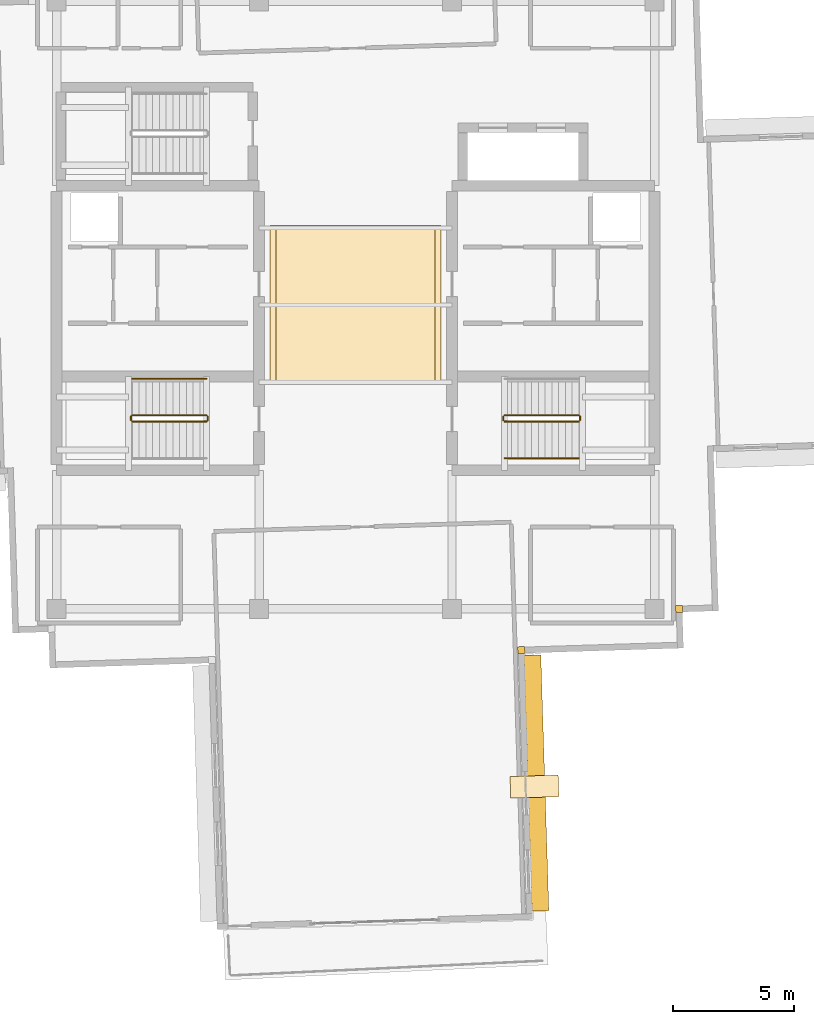
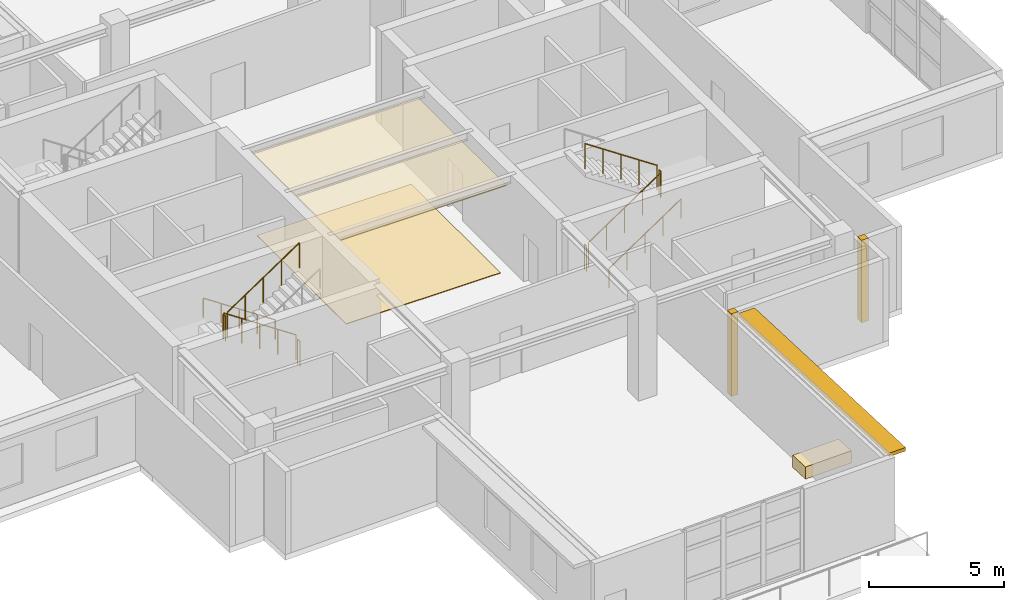
# One storey, part 15 of 18: 10 railings, 5 coverings, 1 shading device.
"""IFC4 building model written with IfcOpenShell, lengths in metres."""

from ifc_helpers import new_model, si_unit, direction, frame, origin, origin_with_axes, origin_2d, place, context, subcontext, project, spatial, rectangle, circle, extrude, material, layer, layer_set, type_object, element, save


model = new_model("IFC4")

# Units and contexts
model_context = context("Model", 3, precision=1e-05, world=origin(), true_north=direction((0.0, 1.0)))
body_context = subcontext(model_context, "Body", "Model", "MODEL_VIEW")
ifc_project = project(units=[si_unit("LENGTHUNIT", "METRE"), si_unit("AREAUNIT", "SQUARE_METRE"), si_unit("VOLUMEUNIT", "CUBIC_METRE"), si_unit("PLANEANGLEUNIT", "RADIAN"), si_unit("MASSUNIT", "GRAM", prefix="KILO")], contexts=[model_context])

# Site, building, storey
site_placement = place(None, origin())
site = spatial("IfcSite", under=ifc_project, at=site_placement, CompositionType="ELEMENT")
building_placement = place(site_placement, origin())
building = spatial("IfcBuilding", under=site, at=building_placement, Name="Qingluan Cross Belvedere", CompositionType="ELEMENT")
storey_placement = place(building_placement, frame((0.0, 0.0, 299.39990234375)))
storey = spatial("IfcBuildingStorey", under=building, at=storey_placement, Name="L74", CompositionType="ELEMENT", Elevation=299.39990234375)

# Coverings
ifc_material_1 = material(Name="Perforated gypsum acoustic ceiling board")
ifc_layer_1 = layer(ifc_material_1, 0.0400390625, Name="AcousticLobbyCeiling_40")
ifc_layer_set_1 = layer_set([ifc_layer_1], Name="Perforated gypsum acoustic ceiling board")
covering_type_1 = type_object("IfcCoveringType", Name="AcousticLobbyCeiling_40", PredefinedType="CEILING", material=ifc_layer_set_1)
covering_1_placement = place(storey_placement, frame((0.0, 0.0, 3.860107421875), z_axis=(0.0, 0.0, 1.0), x_axis=(1.0, 0.0, 0.0)))
element("IfcCovering", 1, at=covering_1_placement, inside=storey, type_object=covering_type_1, Name="Central lobby acoustic ceiling L74", PredefinedType="CEILING", context=body_context, shape_type="SweptSolid", body=[
    extrude(rectangle(XDim=7.10009765625, YDim=6.60009765625, at=origin_2d()), origin(), (0.0, 0.0, 1.0), 0.0400390625),
])
ifc_material_2 = material(Name="Precast concrete C45", Category="concrete")
ifc_layer_2 = layer(ifc_material_2, 0.1201171875, Name="ConcreteSpandrelCladding_120")
ifc_layer_set_2 = layer_set([ifc_layer_2], Name="Precast concrete C45")
covering_type_2 = type_object("IfcCoveringType", Name="ConcreteSpandrelCladding_120", PredefinedType="CLADDING", material=ifc_layer_set_2)
for number, where, z_axis, x_axis, name in (
    (2, (13.422607421875, -12.6044921875, 0.0), (0.0, 0.0, 1.0), (0.999506560366, 0.031410759078, 0.0), "Corner closure L74-SE1"),
    (3, (6.872802734375, -14.311279296875, 0.0), (0.0, 0.0, 1.0), (0.999506560366, 0.031410759078, 0.0), "Corner closure L74-SE2"),
):
    element("IfcCovering", number, at=place(storey_placement, frame(where, z_axis=z_axis, x_axis=x_axis)), inside=storey, type_object=covering_type_2, Name=name, PredefinedType="CLADDING", context=body_context, shape_type="SweptSolid", body=[
        extrude(rectangle(XDim=0.2900390625, YDim=0.2900390625, at=origin_2d()), origin(), (0.0, 0.0, 1.0), 3.72998046875),
    ])

# Shading device
ifc_material_3 = material(Name="Precast concrete C45", Category="concrete")
ifc_layer_3 = layer(ifc_material_3, 0.139892578125, Name="ConcreteSunshadeBand_700")
ifc_layer_set_3 = layer_set([ifc_layer_3], Name="Precast concrete C45")
shading_device_type = type_object("IfcShadingDeviceType", Name="ConcreteSunshadeBand_700", PredefinedType="USERDEFINED", material=ifc_layer_set_3)
shading_device_placement = place(storey_placement, frame((7.50146484375, -19.82421875, 3.55029296875), z_axis=(0.0, 0.0, 1.0), x_axis=(-0.031415252618, 0.99950641914, 0.0)))
element("IfcShadingDevice", 4, at=shading_device_placement, inside=storey, type_object=shading_device_type, Name="Concrete SUNSHADE L74-SB", ObjectType="SUNSHADE", PredefinedType="USERDEFINED", context=body_context, shape_type="SweptSolid", body=[
    extrude(rectangle(XDim=10.610107421875, YDim=0.699951171875, at=origin_2d()), origin(), (0.0, 0.0, 1.0), 0.159912109375),
])

# Covering
ifc_material_4 = material(Name="Honed Hubei grey granite stone flooring", Category="masonry")
ifc_layer_4 = layer(ifc_material_4, 0.030029296875, Name="GraniteLobbyFlooring_30")
ifc_layer_set_4 = layer_set([ifc_layer_4], Name="Honed Hubei grey granite stone flooring")
covering_type_3 = type_object("IfcCoveringType", Name="GraniteLobbyFlooring_30", PredefinedType="FLOORING", material=ifc_layer_set_4)
covering_2_placement = place(storey_placement, origin_with_axes())
element("IfcCovering", 5, at=covering_2_placement, inside=storey, type_object=covering_type_3, Name="Central lobby granite flooring L74", PredefinedType="FLOORING", context=body_context, shape_type="SweptSolid", body=[
    extrude(rectangle(XDim=6.60009765625, YDim=6.60009765625, at=origin_2d()), origin(), (0.0, 0.0, 1.0), 0.030029296875),
])

# Railings
ifc_material_5 = material(Name="Brushed stainless steel tubular handrail", Category="steel")
railing_type_1 = type_object("IfcRailingType", Name="StairPitchHandrail_900", PredefinedType="HANDRAIL", material=ifc_material_5)
railing_1_placement = place(storey_placement, frame((-6.179931640625, -3.050048828125, 0.1875)))
element("IfcRailing", 6, at=railing_1_placement, inside=storey, type_object=railing_type_1, Name="L74 ST1 stair handrail 1", PredefinedType="HANDRAIL", context=body_context, shape_type="SweptSolid", body=[
    extrude(circle(Radius=0.02392578125, at=origin_2d()), frame((0.0, 0.0, 0.8759765625), z_axis=(-0.830913701846, 0.0, 0.55640131208), x_axis=(0.0, -1.0, 0.0)), (0.0, 0.0, 1.0), 3.706787109375),
    extrude(circle(Radius=0.02099609375, at=origin_2d()), origin(), (0.0, 0.0, 1.0), 0.851806640625),
    extrude(circle(Radius=0.02099609375, at=origin_2d()), frame((-0.77001953125, 0.0, 0.515625)), (0.0, 0.0, 1.0), 0.851806640625),
    extrude(circle(Radius=0.02099609375, at=origin_2d()), frame((-1.5400390625, 0.0, 1.03125)), (0.0, 0.0, 1.0), 0.851806640625),
    extrude(circle(Radius=0.02099609375, at=origin_2d()), frame((-2.31005859375, 0.0, 1.546875)), (0.0, 0.0, 1.0), 0.851806640625),
    extrude(circle(Radius=0.02099609375, at=origin_2d()), frame((-3.080078125, 0.0, 2.0625)), (0.0, 0.0, 1.0), 0.851806640625),
])
railing_2_placement = place(storey_placement, frame((6.179931640625, -6.35009765625, 0.1875)))
element("IfcRailing", 7, at=railing_2_placement, inside=storey, type_object=railing_type_1, Name="L74 ST2 stair handrail 1", PredefinedType="HANDRAIL", context=body_context, shape_type="SweptSolid", body=[
    extrude(circle(Radius=0.02392578125, at=origin_2d()), frame((0.0, 0.0, 0.8759765625), z_axis=(0.830913701846, 0.0, 0.55640131208), x_axis=(0.0, 1.0, 0.0)), (0.0, 0.0, 1.0), 3.706787109375),
    extrude(circle(Radius=0.02099609375, at=origin_2d()), origin(), (0.0, 0.0, 1.0), 0.851806640625),
    extrude(circle(Radius=0.02099609375, at=origin_2d()), frame((0.77001953125, 0.0, 0.515625)), (0.0, 0.0, 1.0), 0.851806640625),
    extrude(circle(Radius=0.02099609375, at=origin_2d()), frame((1.5400390625, 0.0, 1.03125)), (0.0, 0.0, 1.0), 0.851806640625),
    extrude(circle(Radius=0.02099609375, at=origin_2d()), frame((2.31005859375, 0.0, 1.546875)), (0.0, 0.0, 1.0), 0.851806640625),
    extrude(circle(Radius=0.02099609375, at=origin_2d()), frame((3.080078125, 0.0, 2.0625)), (0.0, 0.0, 1.0), 0.851806640625),
])
ifc_material_6 = material(Name="Painted steel stair well guard", Category="steel")
railing_type_2 = type_object("IfcRailingType", Name="StairWellGuard_1150", PredefinedType="BALUSTRADE", material=ifc_material_6)
railing_3_placement = place(storey_placement, frame((-6.179931640625, -4.570068359375, 0.1875)))
element("IfcRailing", 8, at=railing_3_placement, inside=storey, type_object=railing_type_2, Name="L74 ST1 stair guard 1", PredefinedType="BALUSTRADE", context=body_context, shape_type="SweptSolid", body=[
    extrude(circle(Radius=0.02392578125, at=origin_2d()), frame((0.0, 0.0, 1.1259765625), z_axis=(-0.830913701846, 0.0, 0.55640131208), x_axis=(0.0, -1.0, 0.0)), (0.0, 0.0, 1.0), 3.706787109375),
    extrude(circle(Radius=0.02099609375, at=origin_2d()), origin(), (0.0, 0.0, 1.0), 1.101806640625),
    extrude(circle(Radius=0.02099609375, at=origin_2d()), frame((-0.77001953125, 0.0, 0.515625)), (0.0, 0.0, 1.0), 1.101806640625),
    extrude(circle(Radius=0.02099609375, at=origin_2d()), frame((-1.5400390625, 0.0, 1.03125)), (0.0, 0.0, 1.0), 1.101806640625),
    extrude(circle(Radius=0.02099609375, at=origin_2d()), frame((-2.31005859375, 0.0, 1.546875)), (0.0, 0.0, 1.0), 1.101806640625),
    extrude(circle(Radius=0.02099609375, at=origin_2d()), frame((-3.080078125, 0.0, 2.0625)), (0.0, 0.0, 1.0), 1.101806640625),
])
railing_4_placement = place(storey_placement, frame((-9.31005859375, -4.6201171875, 2.25)))
element("IfcRailing", 9, at=railing_4_placement, inside=storey, type_object=railing_type_2, Name="L74 ST1 stair guard 2", PredefinedType="BALUSTRADE", context=body_context, shape_type="SweptSolid", body=[
    extrude(circle(Radius=0.02392578125, at=origin_2d()), frame((0.0, 0.0, 1.1259765625), z_axis=(0.0, -1.0, 0.0), x_axis=(1.0, 0.0, 0.0)), (0.0, 0.0, 1.0), 0.159912109375),
    extrude(circle(Radius=0.02099609375, at=origin_2d()), origin(), (0.0, 0.0, 1.0), 1.101806640625),
    extrude(circle(Radius=0.02099609375, at=origin_2d()), frame((0.0, -0.159912109375, 0.0)), (0.0, 0.0, 1.0), 1.101806640625),
])
railing_5_placement = place(storey_placement, frame((-9.260009765625, -4.830078125, 2.4375)))
element("IfcRailing", 10, at=railing_5_placement, inside=storey, type_object=railing_type_2, Name="L74 ST1 stair guard 3", PredefinedType="BALUSTRADE", context=body_context, shape_type="SweptSolid", body=[
    extrude(circle(Radius=0.02392578125, at=origin_2d()), frame((0.0, 0.0, 1.1259765625), z_axis=(0.830913701846, 0.0, 0.55640131208), x_axis=(0.0, 1.0, 0.0)), (0.0, 0.0, 1.0), 3.706787109375),
    extrude(circle(Radius=0.02099609375, at=origin_2d()), origin(), (0.0, 0.0, 1.0), 1.101806640625),
    extrude(circle(Radius=0.02099609375, at=origin_2d()), frame((0.77001953125, 0.0, 0.515625)), (0.0, 0.0, 1.0), 1.101806640625),
    extrude(circle(Radius=0.02099609375, at=origin_2d()), frame((1.5400390625, 0.0, 1.03125)), (0.0, 0.0, 1.0), 1.101806640625),
    extrude(circle(Radius=0.02099609375, at=origin_2d()), frame((2.31005859375, 0.0, 1.546875)), (0.0, 0.0, 1.0), 1.101806640625),
    extrude(circle(Radius=0.02099609375, at=origin_2d()), frame((3.080078125, 0.0, 2.0625)), (0.0, 0.0, 1.0), 1.101806640625),
])
railing_6_placement = place(storey_placement, frame((-6.1298828125, -4.6201171875, 0.0)))
element("IfcRailing", 11, at=railing_6_placement, inside=storey, type_object=railing_type_2, Name="L74 ST1 stair guard 4", PredefinedType="BALUSTRADE", context=body_context, shape_type="SweptSolid", body=[
    extrude(circle(Radius=0.02392578125, at=origin_2d()), frame((0.0, 0.0, 1.1259765625), z_axis=(0.0, -1.0, 0.0), x_axis=(1.0, 0.0, 0.0)), (0.0, 0.0, 1.0), 0.159912109375),
    extrude(circle(Radius=0.02099609375, at=origin_2d()), origin(), (0.0, 0.0, 1.0), 1.101806640625),
    extrude(circle(Radius=0.02099609375, at=origin_2d()), frame((0.0, -0.159912109375, 0.0)), (0.0, 0.0, 1.0), 1.101806640625),
])
railing_7_placement = place(storey_placement, frame((6.179931640625, -4.830078125, 0.1875)))
element("IfcRailing", 12, at=railing_7_placement, inside=storey, type_object=railing_type_2, Name="L74 ST2 stair guard 1", PredefinedType="BALUSTRADE", context=body_context, shape_type="SweptSolid", body=[
    extrude(circle(Radius=0.02392578125, at=origin_2d()), frame((0.0, 0.0, 1.1259765625), z_axis=(0.830913701846, 0.0, 0.55640131208), x_axis=(0.0, 1.0, 0.0)), (0.0, 0.0, 1.0), 3.706787109375),
    extrude(circle(Radius=0.02099609375, at=origin_2d()), origin(), (0.0, 0.0, 1.0), 1.101806640625),
    extrude(circle(Radius=0.02099609375, at=origin_2d()), frame((0.77001953125, 0.0, 0.515625)), (0.0, 0.0, 1.0), 1.101806640625),
    extrude(circle(Radius=0.02099609375, at=origin_2d()), frame((1.5400390625, 0.0, 1.03125)), (0.0, 0.0, 1.0), 1.101806640625),
    extrude(circle(Radius=0.02099609375, at=origin_2d()), frame((2.31005859375, 0.0, 1.546875)), (0.0, 0.0, 1.0), 1.101806640625),
    extrude(circle(Radius=0.02099609375, at=origin_2d()), frame((3.080078125, 0.0, 2.0625)), (0.0, 0.0, 1.0), 1.101806640625),
])
railing_8_placement = place(storey_placement, frame((9.31005859375, -4.780029296875, 2.25)))
element("IfcRailing", 13, at=railing_8_placement, inside=storey, type_object=railing_type_2, Name="L74 ST2 stair guard 2", PredefinedType="BALUSTRADE", context=body_context, shape_type="SweptSolid", body=[
    extrude(circle(Radius=0.02392578125, at=origin_2d()), frame((0.0, 0.0, 1.1259765625), z_axis=(0.0, 1.0, 0.0), x_axis=(-1.0, 0.0, 0.0)), (0.0, 0.0, 1.0), 0.159912109375),
    extrude(circle(Radius=0.02099609375, at=origin_2d()), origin(), (0.0, 0.0, 1.0), 1.101806640625),
    extrude(circle(Radius=0.02099609375, at=origin_2d()), frame((0.0, 0.159912109375, 0.0)), (0.0, 0.0, 1.0), 1.101806640625),
])
railing_9_placement = place(storey_placement, frame((9.260009765625, -4.570068359375, 2.4375)))
element("IfcRailing", 14, at=railing_9_placement, inside=storey, type_object=railing_type_2, Name="L74 ST2 stair guard 3", PredefinedType="BALUSTRADE", context=body_context, shape_type="SweptSolid", body=[
    extrude(circle(Radius=0.02392578125, at=origin_2d()), frame((0.0, 0.0, 1.1259765625), z_axis=(-0.830913701846, 0.0, 0.55640131208), x_axis=(0.0, -1.0, 0.0)), (0.0, 0.0, 1.0), 3.706787109375),
    extrude(circle(Radius=0.02099609375, at=origin_2d()), origin(), (0.0, 0.0, 1.0), 1.101806640625),
    extrude(circle(Radius=0.02099609375, at=origin_2d()), frame((-0.77001953125, 0.0, 0.515625)), (0.0, 0.0, 1.0), 1.101806640625),
    extrude(circle(Radius=0.02099609375, at=origin_2d()), frame((-1.5400390625, 0.0, 1.03125)), (0.0, 0.0, 1.0), 1.101806640625),
    extrude(circle(Radius=0.02099609375, at=origin_2d()), frame((-2.31005859375, 0.0, 1.546875)), (0.0, 0.0, 1.0), 1.101806640625),
    extrude(circle(Radius=0.02099609375, at=origin_2d()), frame((-3.080078125, 0.0, 2.0625)), (0.0, 0.0, 1.0), 1.101806640625),
])
railing_10_placement = place(storey_placement, frame((6.1298828125, -4.780029296875, 0.0)))
element("IfcRailing", 15, at=railing_10_placement, inside=storey, type_object=railing_type_2, Name="L74 ST2 stair guard 4", PredefinedType="BALUSTRADE", context=body_context, shape_type="SweptSolid", body=[
    extrude(circle(Radius=0.02392578125, at=origin_2d()), frame((0.0, 0.0, 1.1259765625), z_axis=(0.0, 1.0, 0.0), x_axis=(-1.0, 0.0, 0.0)), (0.0, 0.0, 1.0), 0.159912109375),
    extrude(circle(Radius=0.02099609375, at=origin_2d()), origin(), (0.0, 0.0, 1.0), 1.101806640625),
    extrude(circle(Radius=0.02099609375, at=origin_2d()), frame((0.0, 0.159912109375, 0.0)), (0.0, 0.0, 1.0), 1.101806640625),
])

# Covering
ifc_material_7 = material(Name="Precast concrete C40", Category="concrete")
ifc_layer_5 = layer(ifc_material_7, 0.550048828125, Name="TerracePlanterBox")
ifc_layer_set_5 = layer_set([ifc_layer_5], Name="Precast concrete C40")
covering_type_4 = type_object("IfcCoveringType", Name="TerracePlanterBox", PredefinedType="USERDEFINED", material=ifc_layer_set_5)
covering_3_placement = place(storey_placement, frame((7.419921875, -19.969970703125, 0.0), z_axis=(0.0, 0.0, 1.0), x_axis=(0.999506560366, 0.031410759078, 0.0)))
element("IfcCovering", 16, at=covering_3_placement, inside=storey, type_object=covering_type_4, Name="Terrace garden planter L74-3", ObjectType="PLANTER", PredefinedType="USERDEFINED", context=body_context, shape_type="SweptSolid", body=[
    extrude(rectangle(XDim=2.0, YDim=0.89990234375, at=origin_2d()), origin(), (0.0, 0.0, 1.0), 0.550048828125),
])

save(model, "model.ifc")
